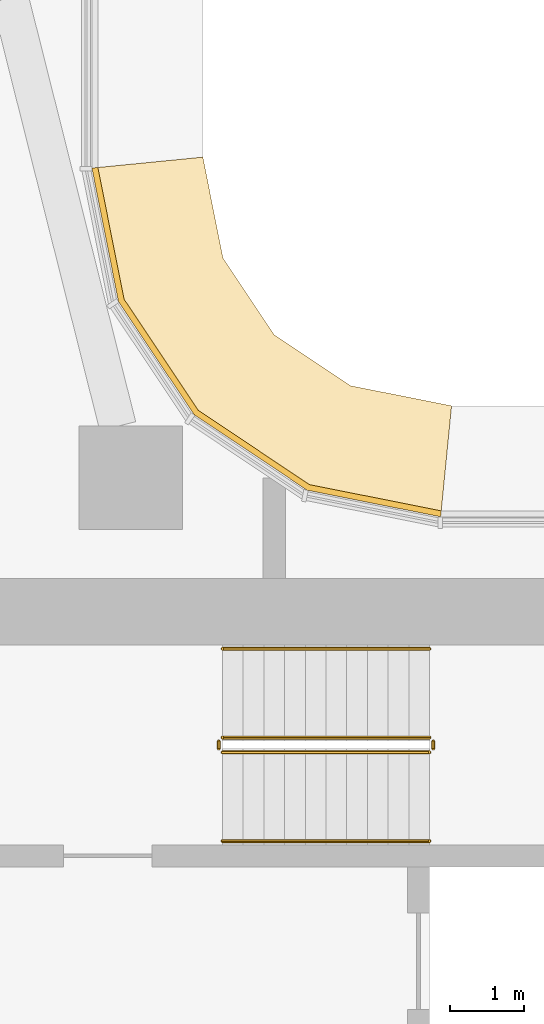
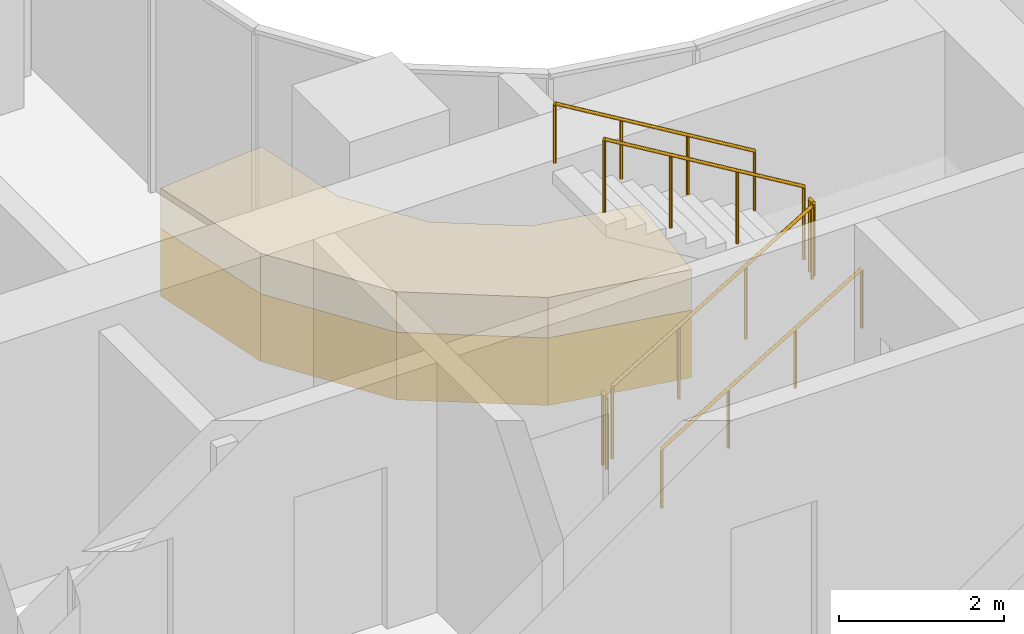
# One storey, part 32 of 39: 6 railings, 2 coverings.
"""IFC4 building model written with IfcOpenShell, lengths in metres."""

from ifc_helpers import new_model, si_unit, direction, frame, origin, origin_2d, place, context, subcontext, project, spatial, polyline, circle, outline, extrude, material, layer, layer_set, type_object, element, save


model = new_model("IFC4")

# Units and contexts
model_context = context("Model", 3, precision=1e-05, world=origin(), true_north=direction((0.0, 1.0)))
body_context = subcontext(model_context, "Body", "Model", "MODEL_VIEW")
ifc_project = project(units=[si_unit("LENGTHUNIT", "METRE"), si_unit("AREAUNIT", "SQUARE_METRE"), si_unit("VOLUMEUNIT", "CUBIC_METRE"), si_unit("PLANEANGLEUNIT", "RADIAN"), si_unit("MASSUNIT", "GRAM", prefix="KILO")], contexts=[model_context])

# Site, building, storey
site_placement = place(None, origin())
site = spatial("IfcSite", under=ifc_project, at=site_placement, CompositionType="ELEMENT")
building_placement = place(site_placement, origin())
building = spatial("IfcBuilding", under=site, at=building_placement, Name="Ogive Portal Towers", CompositionType="ELEMENT")
storey_placement = place(building_placement, frame((0.0, 0.0, 44.60009765625)))
storey = spatial("IfcBuildingStorey", under=building, at=storey_placement, Name="L09", CompositionType="ELEMENT", Elevation=44.60009765625)

# Railings
ifc_material_1 = material(Name="Stainless steel balustrade", Category="steel")
railing_type_1 = type_object("IfcRailingType", Name="INT-GUARD", PredefinedType="GUARDRAIL", material=ifc_material_1)
railing_1_placement = place(storey_placement, frame((52.550048828125, 37.60009765625, 0.16796875)))
element("IfcRailing", 1, at=railing_1_placement, inside=storey, type_object=railing_type_1, Name="L09 ST-A2 stair guard 1", PredefinedType="GUARDRAIL", context=body_context, shape_type="SweptSolid", body=[
    extrude(circle(Radius=0.02392578125, at=origin_2d()), frame((0.0, 0.0, 1.076171875), z_axis=(0.857242210791, 0.0, 0.514913383045), x_axis=(0.0, 1.0, 0.0)), (0.0, 0.0, 1.0), 3.266357421875),
    extrude(circle(Radius=0.02099609375, at=origin_2d()), origin(), (0.0, 0.0, 1.0), 1.052001953125),
    extrude(circle(Radius=0.02099609375, at=origin_2d()), frame((0.933349609375, 0.0, 0.560546875)), (0.0, 0.0, 1.0), 1.052001953125),
    extrude(circle(Radius=0.02099609375, at=origin_2d()), frame((1.86669921875, 0.0, 1.121337890625)), (0.0, 0.0, 1.0), 1.052001953125),
    extrude(circle(Radius=0.02099609375, at=origin_2d()), frame((2.800048828125, 0.0, 1.681884765625)), (0.0, 0.0, 1.0), 1.052001953125),
])
railing_2_placement = place(storey_placement, frame((55.39990234375, 37.64990234375, 1.849853515625)))
element("IfcRailing", 2, at=railing_2_placement, inside=storey, type_object=railing_type_1, Name="L09 ST-A2 stair guard 2", PredefinedType="GUARDRAIL", context=body_context, shape_type="SweptSolid", body=[
    extrude(circle(Radius=0.02392578125, at=origin_2d()), frame((0.0, 0.0, 1.076171875), z_axis=(0.0, 1.0, 0.0), x_axis=(-1.0, 0.0, 0.0)), (0.0, 0.0, 1.0), 0.10009765625),
    extrude(circle(Radius=0.02099609375, at=origin_2d()), origin(), (0.0, 0.0, 1.0), 1.052001953125),
    extrude(circle(Radius=0.02099609375, at=origin_2d()), frame((0.0, 0.10009765625, 0.0)), (0.0, 0.0, 1.0), 1.052001953125),
])
railing_3_placement = place(storey_placement, frame((55.35009765625, 37.800048828125, 2.01806640625)))
element("IfcRailing", 3, at=railing_3_placement, inside=storey, type_object=railing_type_1, Name="L09 ST-A2 stair guard 3", PredefinedType="GUARDRAIL", context=body_context, shape_type="SweptSolid", body=[
    extrude(circle(Radius=0.02392578125, at=origin_2d()), frame((0.0, 0.0, 1.076171875), z_axis=(-0.857242210791, 0.0, 0.514913383045), x_axis=(0.0, -1.0, 0.0)), (0.0, 0.0, 1.0), 3.266357421875),
    extrude(circle(Radius=0.02099609375, at=origin_2d()), origin(), (0.0, 0.0, 1.0), 1.052001953125),
    extrude(circle(Radius=0.02099609375, at=origin_2d()), frame((-0.933349609375, 0.0, 0.560546875)), (0.0, 0.0, 1.0), 1.052001953125),
    extrude(circle(Radius=0.02099609375, at=origin_2d()), frame((-1.86669921875, 0.0, 1.121337890625)), (0.0, 0.0, 1.0), 1.052001953125),
    extrude(circle(Radius=0.02099609375, at=origin_2d()), frame((-2.800048828125, 0.0, 1.681884765625)), (0.0, 0.0, 1.0), 1.052001953125),
])
railing_4_placement = place(storey_placement, frame((52.5, 37.64990234375, 0.0)))
element("IfcRailing", 4, at=railing_4_placement, inside=storey, type_object=railing_type_1, Name="L09 ST-A2 stair guard 4", PredefinedType="GUARDRAIL", context=body_context, shape_type="SweptSolid", body=[
    extrude(circle(Radius=0.02392578125, at=origin_2d()), frame((0.0, 0.0, 1.076171875), z_axis=(0.0, 1.0, 0.0), x_axis=(-1.0, 0.0, 0.0)), (0.0, 0.0, 1.0), 0.10009765625),
    extrude(circle(Radius=0.02099609375, at=origin_2d()), origin(), (0.0, 0.0, 1.0), 1.052001953125),
    extrude(circle(Radius=0.02099609375, at=origin_2d()), frame((0.0, 0.10009765625, 0.0)), (0.0, 0.0, 1.0), 1.052001953125),
])
ifc_material_2 = material(Name="Stainless steel handrail", Category="steel")
railing_type_2 = type_object("IfcRailingType", Name="INT-HANDRAIL", PredefinedType="HANDRAIL", material=ifc_material_2)
railing_5_placement = place(storey_placement, frame((52.550048828125, 36.39990234375, 0.16796875)))
element("IfcRailing", 5, at=railing_5_placement, inside=storey, type_object=railing_type_2, Name="L09 ST-A2 stair handrail 1", PredefinedType="HANDRAIL", context=body_context, shape_type="SweptSolid", body=[
    extrude(circle(Radius=0.02392578125, at=origin_2d()), frame((0.0, 0.0, 0.8759765625), z_axis=(0.857242210791, 0.0, 0.514913383045), x_axis=(0.0, 1.0, 0.0)), (0.0, 0.0, 1.0), 3.266357421875),
    extrude(circle(Radius=0.02099609375, at=origin_2d()), origin(), (0.0, 0.0, 1.0), 0.851806640625),
    extrude(circle(Radius=0.02099609375, at=origin_2d()), frame((0.933349609375, 0.0, 0.560546875)), (0.0, 0.0, 1.0), 0.851806640625),
    extrude(circle(Radius=0.02099609375, at=origin_2d()), frame((1.86669921875, 0.0, 1.121337890625)), (0.0, 0.0, 1.0), 0.851806640625),
    extrude(circle(Radius=0.02099609375, at=origin_2d()), frame((2.800048828125, 0.0, 1.681884765625)), (0.0, 0.0, 1.0), 0.851806640625),
])
railing_6_placement = place(storey_placement, frame((55.35009765625, 39.0, 2.01806640625)))
element("IfcRailing", 6, at=railing_6_placement, inside=storey, type_object=railing_type_2, Name="L09 ST-A2 stair handrail 2", PredefinedType="HANDRAIL", context=body_context, shape_type="SweptSolid", body=[
    extrude(circle(Radius=0.02392578125, at=origin_2d()), frame((0.0, 0.0, 0.8759765625), z_axis=(-0.857242210791, 0.0, 0.514913383045), x_axis=(0.0, -1.0, 0.0)), (0.0, 0.0, 1.0), 3.266357421875),
    extrude(circle(Radius=0.02099609375, at=origin_2d()), origin(), (0.0, 0.0, 1.0), 0.851806640625),
    extrude(circle(Radius=0.02099609375, at=origin_2d()), frame((-0.933349609375, 0.0, 0.560546875)), (0.0, 0.0, 1.0), 0.851806640625),
    extrude(circle(Radius=0.02099609375, at=origin_2d()), frame((-1.86669921875, 0.0, 1.121337890625)), (0.0, 0.0, 1.0), 0.851806640625),
    extrude(circle(Radius=0.02099609375, at=origin_2d()), frame((-2.800048828125, 0.0, 1.681884765625)), (0.0, 0.0, 1.0), 0.851806640625),
])

# Coverings
ifc_material_3 = material(Name="Limestone cladding on lightweight block wall", Category="masonry")
ifc_layer_1 = layer(ifc_material_3, 0.080078125)
ifc_layer_set_1 = layer_set([ifc_layer_1], Name="STONE SPANDREL 80")
covering_type_1 = type_object("IfcCoveringType", Name="STONE SPANDREL 80", PredefinedType="CLADDING", material=ifc_layer_set_1)
covering_1_placement = place(storey_placement, frame((0.0, 0.0, -1.60009765625)))
element("IfcCovering", 7, at=covering_1_placement, inside=storey, type_object=covering_type_1, Name="Stone spandrel A1-F10", PredefinedType="CLADDING", context=body_context, shape_type="SweptSolid", body=[
    extrude(outline(polyline([(55.5, 40.784912109375), (53.695556640625, 41.143798828125), (52.166015625, 42.166015625), (51.143798828125, 43.695556640625), (50.784912109375, 45.5), (50.864990234375, 45.5078125), (51.21923828125, 43.726806640625), (52.2236328125, 42.2236328125), (53.726806640625, 41.21923828125), (55.5078125, 40.864990234375), (55.5, 40.784912109375)])), origin(), (0.0, 0.0, 1.0), 1.0),
])
ifc_layer_2 = layer(ifc_material_3, 0.60009765625)
ifc_layer_set_2 = layer_set([ifc_layer_2], Name="SUNSHADE LIP 600")
covering_type_2 = type_object("IfcCoveringType", Name="SUNSHADE LIP 600", PredefinedType="CLADDING", material=ifc_layer_set_2)
covering_2_placement = place(storey_placement, frame((0.0, 0.0, -0.60009765625)))
element("IfcCovering", 8, at=covering_2_placement, inside=storey, type_object=covering_type_2, Name="Sunshade lip A1-F10", PredefinedType="CLADDING", context=body_context, shape_type="SweptSolid", body=[
    extrude(outline(polyline([(55.5, 40.784912109375), (53.695556640625, 41.143798828125), (52.166015625, 42.166015625), (51.143798828125, 43.695556640625), (50.784912109375, 45.5), (52.284912109375, 45.647705078125), (52.556884765625, 44.281005859375), (53.247314453125, 43.247314453125), (54.281005859375, 42.556884765625), (55.647705078125, 42.284912109375), (55.5, 40.784912109375)])), origin(), (0.0, 0.0, 1.0), 0.60009765625),
])

save(model, "model.ifc")
